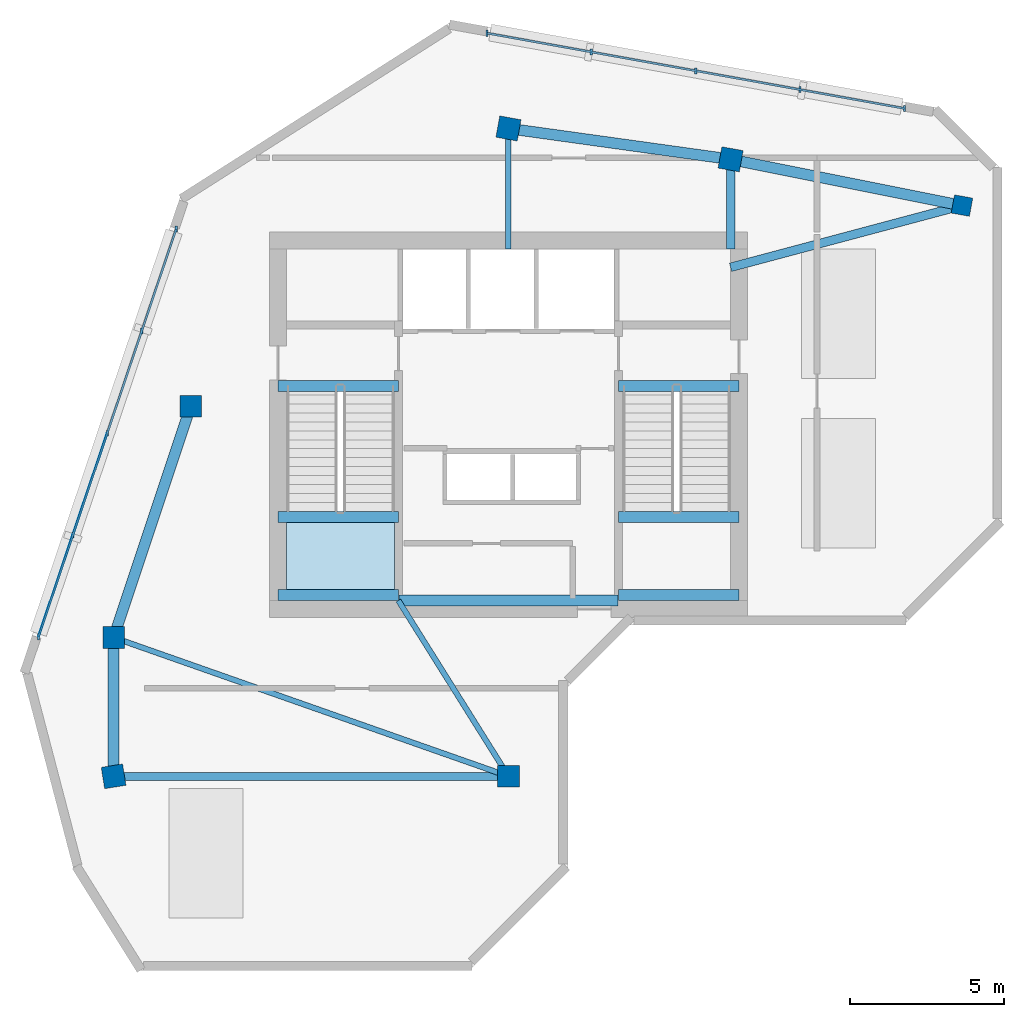
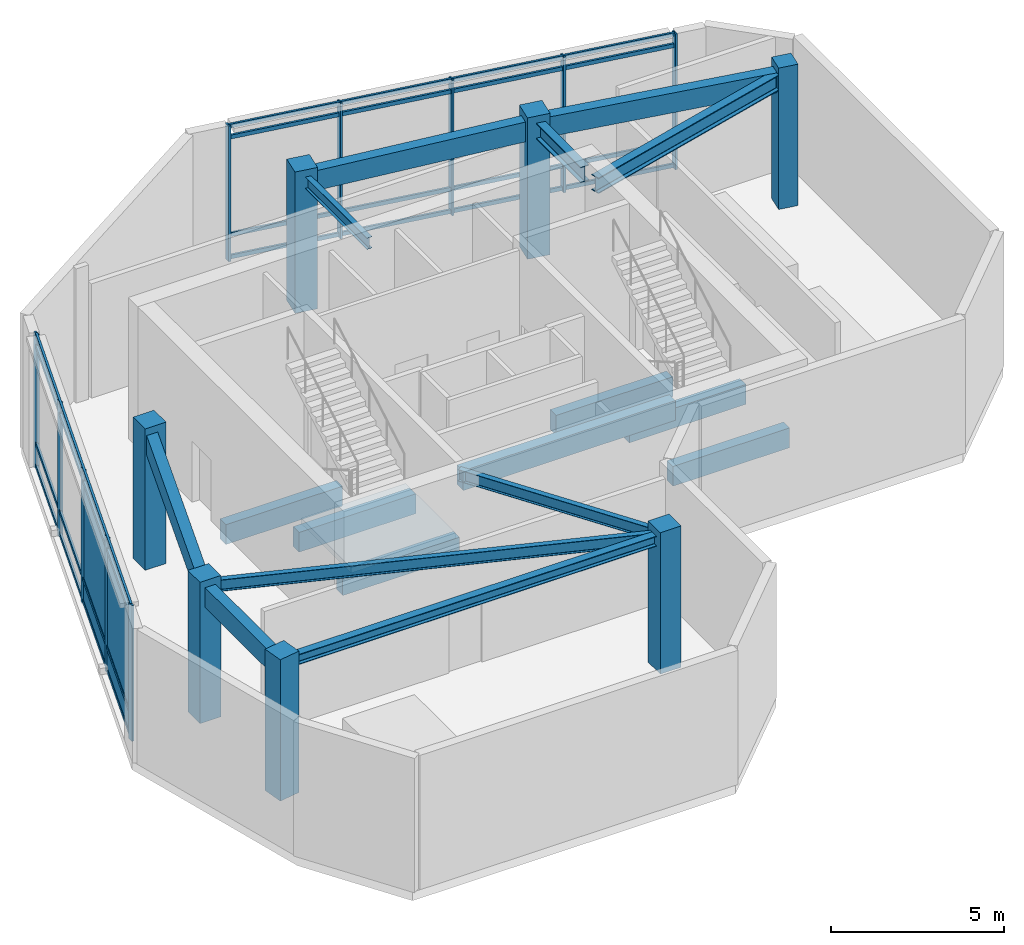
# One storey, part 1 of 4: 18 members, 17 beams, 7 columns, 4 plates, 1 slab, 3 elements without a shape of their own.
"""IFC4 building model written with IfcOpenShell, lengths in metres."""

from ifc_helpers import new_model, si_unit, direction, frame, frame_2d, origin, origin_2d, place, context, subcontext, project, spatial, polyline, rectangle, i_section, outline, extrude, source, transform, mapped, material, layer, layer_set, material_profile, profile_set, type_object, element, aggregate, save


model = new_model("IFC4")

# Units and contexts
model_context = context("Model", 3, precision=1e-05, world=origin(), true_north=direction((0.0, 1.0)))
body_context = subcontext(model_context, "Body", "Model", "MODEL_VIEW")
ifc_project = project(units=[si_unit("LENGTHUNIT", "METRE"), si_unit("AREAUNIT", "SQUARE_METRE"), si_unit("VOLUMEUNIT", "CUBIC_METRE"), si_unit("PLANEANGLEUNIT", "RADIAN"), si_unit("MASSUNIT", "GRAM", prefix="KILO")], contexts=[model_context])

# Site, building, storey
site_placement = place(None, origin())
site = spatial("IfcSite", under=ifc_project, at=site_placement, CompositionType="ELEMENT")
building_placement = place(site_placement, origin())
building = spatial("IfcBuilding", under=site, at=building_placement, Name="Calvemar Wedge Station Tower", CompositionType="ELEMENT")
storey_placement = place(building_placement, frame((0.0, 0.0, 304.5)))
storey = spatial("IfcBuildingStorey", under=building, at=storey_placement, Name="L78", CompositionType="ELEMENT", Elevation=304.5)

# Columns
ifc_material_1 = material(Name="Concrete C50", Category="concrete")
ifc_material_profile_1 = material_profile(ifc_material_1, rectangle(XDim=0.699951171875, YDim=0.699951171875, at=origin_2d()), Name="RC700x700")
ifc_profile_set_1 = profile_set([ifc_material_profile_1], Name="Concrete C50")
column_type_1 = type_object("IfcColumnType", Name="COL-C7-700", PredefinedType="COLUMN", material=ifc_profile_set_1)
shared_shape_1 = source(origin(), body_context, "Body", "SweptSolid", [
    extrude(rectangle(XDim=0.699951171875, YDim=0.699951171875, at=origin_2d()), origin(), (0.0, 0.0, 1.0), 5.0),
])
for number, where, z_axis, x_axis, name in (
    (1, (11.0, 33.0, 0.0), (0.0, 0.0, 1.0), (1.0, 0.0, 0.0), "Storey L78 Column T-NW1"),
    (2, (13.5, 40.5, 0.0), (0.0, 0.0, 1.0), (1.0, 0.0, 0.0), "Storey L78 Column T-NW2"),
    (3, (23.800048828125, 49.5, 0.0), (0.0, 0.0, 1.0), (0.984195607969, -0.17708474032, 0.0), "Storey L78 Column T-N1"),
    (4, (31.0, 48.5, 0.0), (0.0, 0.0, 1.0), (0.984195607969, -0.17708474032, 0.0), "Storey L78 Column T-N2"),
    (5, (11.0, 28.5, 0.0), (0.0, 0.0, 1.0), (0.158158067254, -0.987413806751, 0.0), "Storey L78 Column T-SW1"),
    (6, (23.800048828125, 28.5, 0.0), (0.0, 0.0, 1.0), (1.0, 0.0, 0.0), "Storey L78 Column T-SE1"),
):
    element("IfcColumn", number, at=place(storey_placement, frame(where, z_axis=z_axis, x_axis=x_axis)), inside=storey, type_object=column_type_1, Name=name, PredefinedType="COLUMN", context=body_context, shape_type="MappedRepresentation", body=[
        mapped(shared_shape_1, transform((0.0, 0.0, 0.0), scale=1.0)),
    ])
ifc_material_profile_2 = material_profile(ifc_material_1, rectangle(XDim=0.60009765625, YDim=0.60009765625, at=origin_2d()), Name="RC600x600")
ifc_profile_set_2 = profile_set([ifc_material_profile_2], Name="Concrete C50")
column_type_2 = type_object("IfcColumnType", Name="COL-C8-600", PredefinedType="COLUMN", material=ifc_profile_set_2)
shared_shape_2 = source(origin(), body_context, "Body", "SweptSolid", [
    extrude(rectangle(XDim=0.60009765625, YDim=0.60009765625, at=origin_2d()), origin(), (0.0, 0.0, 1.0), 5.0),
])
column_placement = place(storey_placement, frame((38.5, 47.0, 0.0), z_axis=(0.0, 0.0, 1.0), x_axis=(0.984195607969, -0.17708474032, 0.0)))
element("IfcColumn", 7, at=column_placement, inside=storey, type_object=column_type_2, Name="Storey L78 Column T-NU3", PredefinedType="COLUMN", context=body_context, shape_type="MappedRepresentation", body=[
    mapped(shared_shape_2, transform((0.0, 0.0, 0.0), scale=1.0)),
])

# Beams
ifc_material_2 = material(Name="Structural steel ASTM A572 Grade 50", Category="steel")
ifc_material_profile_3 = material_profile(ifc_material_2, i_section(OverallWidth=0.177978515625, OverallDepth=0.406982421875, WebThickness=0.0078125, FlangeThickness=0.0126953125, FilletRadius=0.010009765625, at=origin_2d()), Name="W410x60")
ifc_profile_set_3 = profile_set([ifc_material_profile_3], Name="Structural steel ASTM A572 Grade 50")
beam_type_1 = type_object("IfcBeamType", Name="BM-J3-W410", PredefinedType="JOIST", material=ifc_profile_set_3)
shared_shape_3 = source(origin(), body_context, "Body", "SweptSolid", [
    extrude(i_section(OverallWidth=0.177978515625, OverallDepth=0.406982421875, WebThickness=0.0078125, FlangeThickness=0.0126953125, FilletRadius=0.010009765625, at=origin_2d()), origin(), (0.0, 0.0, 1.0), 13.568115234375),
])
beam_1_placement = place(storey_placement, frame((11.0, 33.0, 4.54638671875), z_axis=(0.943398221169, -0.331662171939, 0.0), x_axis=(0.331662171939, 0.943398221169, 0.0)))
element("IfcBeam", 8, at=beam_1_placement, inside=storey, type_object=beam_type_1, Name="Storey L78 Floor Beam T-NW1-T-SE1", PredefinedType="JOIST", context=body_context, shape_type="MappedRepresentation", body=[
    mapped(shared_shape_3, transform((0.0, 0.0, 0.0), scale=1.0)),
])
ifc_material_profile_4 = material_profile(ifc_material_2, i_section(OverallWidth=0.279052734375, OverallDepth=0.553955078125, WebThickness=0.017578125, FlangeThickness=0.029541015625, FilletRadius=0.014892578125, at=origin_2d()), Name="W530x196")
ifc_profile_set_4 = profile_set([ifc_material_profile_4], Name="Structural steel ASTM A572 Grade 50")
beam_type_2 = type_object("IfcBeamType", Name="BM-SB3-W530H", PredefinedType="BEAM", material=ifc_profile_set_4)
shared_shape_4 = source(origin(), body_context, "Body", "SweptSolid", [
    extrude(i_section(OverallWidth=0.279052734375, OverallDepth=0.553955078125, WebThickness=0.017578125, FlangeThickness=0.029541015625, FilletRadius=0.014892578125, at=origin_2d()), origin(), (0.0, 0.0, 1.0), 7.76220703125),
])
beam_2_placement = place(storey_placement, frame((31.0, 45.0, 4.472900390625), z_axis=(0.966234939601, 0.25766265056, 0.0), x_axis=(-0.25766265056, 0.966234939601, 0.0)))
element("IfcBeam", 9, at=beam_2_placement, inside=storey, type_object=beam_type_2, Name="Storey L78 Core-to-Column Joist CJ-E2", PredefinedType="BEAM", context=body_context, shape_type="MappedRepresentation", body=[
    mapped(shared_shape_4, transform((0.0, 0.0, 0.0), scale=1.0)),
])
shared_shape_5 = source(origin(), body_context, "Body", "SweptSolid", [
    extrude(i_section(OverallWidth=0.177978515625, OverallDepth=0.406982421875, WebThickness=0.0078125, FlangeThickness=0.0126953125, FilletRadius=0.010009765625, at=origin_2d()), origin(), (0.0, 0.0, 1.0), 3.89990234375),
])
beam_3_placement = place(storey_placement, frame((23.800048828125, 45.60009765625, 4.54638671875), z_axis=(0.0, 1.0, 0.0), x_axis=(-1.0, 0.0, 0.0)))
element("IfcBeam", 10, at=beam_3_placement, inside=storey, type_object=beam_type_1, Name="Storey L78 Core-to-Column Joist CJ-N1", PredefinedType="JOIST", context=body_context, shape_type="MappedRepresentation", body=[
    mapped(shared_shape_5, transform((0.0, 0.0, 0.0), scale=1.0)),
])
shared_shape_6 = source(origin(), body_context, "Body", "SweptSolid", [
    extrude(i_section(OverallWidth=0.279052734375, OverallDepth=0.553955078125, WebThickness=0.017578125, FlangeThickness=0.029541015625, FilletRadius=0.014892578125, at=origin_2d()), origin(), (0.0, 0.0, 1.0), 2.89990234375),
])
beam_4_placement = place(storey_placement, frame((31.0, 45.60009765625, 4.472900390625), z_axis=(0.0, 1.0, 0.0), x_axis=(-1.0, 0.0, 0.0)))
element("IfcBeam", 11, at=beam_4_placement, inside=storey, type_object=beam_type_2, Name="Storey L78 Core-to-Column Joist CJ-N2", PredefinedType="BEAM", context=body_context, shape_type="MappedRepresentation", body=[
    mapped(shared_shape_6, transform((0.0, 0.0, 0.0), scale=1.0)),
])
shared_shape_7 = source(origin(), body_context, "Body", "SweptSolid", [
    extrude(i_section(OverallWidth=0.177978515625, OverallDepth=0.406982421875, WebThickness=0.0078125, FlangeThickness=0.0126953125, FilletRadius=0.010009765625, at=origin_2d()), origin(), (0.0, 0.0, 1.0), 6.7255859375),
])
beam_5_placement = place(storey_placement, frame((20.22998046875, 34.199951171875, 4.54638671875), z_axis=(0.530811158438, -0.847490126242, 0.0), x_axis=(0.847490126242, 0.530811158438, 0.0)))
element("IfcBeam", 12, at=beam_5_placement, inside=storey, type_object=beam_type_1, Name="Storey L78 Core-to-Column Joist CJ-S2", PredefinedType="JOIST", context=body_context, shape_type="MappedRepresentation", body=[
    mapped(shared_shape_7, transform((0.0, 0.0, 0.0), scale=1.0)),
])
ifc_material_3 = material(Name="Concrete C70", Category="concrete")
ifc_material_profile_5 = material_profile(ifc_material_3, rectangle(XDim=0.35009765625, YDim=0.699951171875, at=origin_2d()), Name="RC350x700")
ifc_profile_set_5 = profile_set([ifc_material_profile_5], Name="Concrete C70")
beam_type_3 = type_object("IfcBeamType", Name="BM-LN1-700", PredefinedType="LINTEL", material=ifc_profile_set_5)
shared_shape_8 = source(origin(), body_context, "Body", "SweptSolid", [
    extrude(rectangle(XDim=0.35009765625, YDim=0.699951171875, at=origin_2d()), origin(), (0.0, 0.0, 1.0), 7.10009765625),
])
beam_6_placement = place(storey_placement, frame((20.25, 34.199951171875, 4.39990234375), z_axis=(1.0, 0.0, 0.0), x_axis=(0.0, 1.0, 0.0)))
element("IfcBeam", 13, at=beam_6_placement, inside=storey, type_object=beam_type_3, Name="Storey L78 Core Coupling Lintel South", PredefinedType="LINTEL", context=body_context, shape_type="MappedRepresentation", body=[
    mapped(shared_shape_8, transform((0.0, 0.0, 0.0), scale=1.0)),
])
ifc_material_profile_6 = material_profile(ifc_material_1, rectangle(XDim=0.35009765625, YDim=0.699951171875, at=origin_2d()), Name="RC350x700")
ifc_profile_set_6 = profile_set([ifc_material_profile_6], Name="Concrete C50")
beam_type_4 = type_object("IfcBeamType", Name="BM-SP2-700", PredefinedType="SPANDREL", material=ifc_profile_set_6)
shared_shape_9 = source(origin(), body_context, "Body", "SweptSolid", [
    extrude(rectangle(XDim=0.35009765625, YDim=0.699951171875, at=origin_2d()), origin(), (0.0, 0.0, 1.0), 7.90576171875),
])
beam_7_placement = place(storey_placement, frame((11.0, 33.0, 4.39990234375), z_axis=(0.316227766017, 0.948683298051, 0.0), x_axis=(-0.948683298051, 0.316227766017, 0.0)))
element("IfcBeam", 14, at=beam_7_placement, inside=storey, type_object=beam_type_4, Name="Storey L78 Spandrel T-NW1-T-NW2", PredefinedType="SPANDREL", context=body_context, shape_type="MappedRepresentation", body=[
    mapped(shared_shape_9, transform((0.0, 0.0, 0.0), scale=1.0)),
])
shared_shape_10 = source(origin(), body_context, "Body", "SweptSolid", [
    extrude(rectangle(XDim=0.35009765625, YDim=0.699951171875, at=origin_2d()), origin(), (0.0, 0.0, 1.0), 7.26904296875),
])
beam_8_placement = place(storey_placement, frame((23.800048828125, 49.5, 4.39990234375), z_axis=(0.990492146053, -0.13756928657, 0.0), x_axis=(0.13756928657, 0.990492146053, 0.0)))
element("IfcBeam", 15, at=beam_8_placement, inside=storey, type_object=beam_type_4, Name="Storey L78 Spandrel T-N1-T-N2", PredefinedType="SPANDREL", context=body_context, shape_type="MappedRepresentation", body=[
    mapped(shared_shape_10, transform((0.0, 0.0, 0.0), scale=1.0)),
])
shared_shape_11 = source(origin(), body_context, "Body", "SweptSolid", [
    extrude(rectangle(XDim=0.35009765625, YDim=0.699951171875, at=origin_2d()), origin(), (0.0, 0.0, 1.0), 7.6484375),
])
beam_9_placement = place(storey_placement, frame((31.0, 48.5, 4.39990234375), z_axis=(0.980580675691, -0.196116135138, 0.0), x_axis=(0.196116135138, 0.980580675691, 0.0)))
element("IfcBeam", 16, at=beam_9_placement, inside=storey, type_object=beam_type_4, Name="Storey L78 Spandrel T-N2-T-NU3", PredefinedType="SPANDREL", context=body_context, shape_type="MappedRepresentation", body=[
    mapped(shared_shape_11, transform((0.0, 0.0, 0.0), scale=1.0)),
])
shared_shape_12 = source(origin(), body_context, "Body", "SweptSolid", [
    extrude(rectangle(XDim=0.35009765625, YDim=0.699951171875, at=origin_2d()), origin(), (0.0, 0.0, 1.0), 4.5),
])
beam_10_placement = place(storey_placement, frame((11.0, 33.0, 4.39990234375), z_axis=(0.0, -1.0, 0.0), x_axis=(1.0, 0.0, 0.0)))
element("IfcBeam", 17, at=beam_10_placement, inside=storey, type_object=beam_type_4, Name="Storey L78 Spandrel T-NW1-T-SW1", PredefinedType="SPANDREL", context=body_context, shape_type="MappedRepresentation", body=[
    mapped(shared_shape_12, transform((0.0, 0.0, 0.0), scale=1.0)),
])
shared_shape_13 = source(origin(), body_context, "Body", "SweptSolid", [
    extrude(rectangle(XDim=0.35009765625, YDim=0.699951171875, at=origin_2d()), origin(), (0.0, 0.0, 1.0), 3.905029296875),
])
for number, where, z_axis, x_axis, name in (
    (18, (16.324951171875, 41.14990234375, -0.35009765625), (1.0, 0.0, 0.0), (0.0, 1.0, 0.0), "Storey L78 Stair ST-C1 Landing Trimmer Beam"),
    (19, (16.324951171875, 34.3798828125, 1.949951171875), (1.0, 0.0, 0.0), (0.0, 1.0, 0.0), "Storey L78 Stair ST-C1 Half-Landing Beam 1A"),
    (20, (16.324951171875, 36.909912109375, 1.949951171875), (1.0, 0.0, 0.0), (0.0, 1.0, 0.0), "Storey L78 Stair ST-C1 Half-Landing Beam 1B"),
):
    element("IfcBeam", number, at=place(storey_placement, frame(where, z_axis=z_axis, x_axis=x_axis)), inside=storey, type_object=beam_type_3, Name=name, PredefinedType="LINTEL", context=body_context, shape_type="MappedRepresentation", body=[
        mapped(shared_shape_13, transform((0.0, 0.0, 0.0), scale=1.0)),
    ])
shared_shape_14 = source(origin(), body_context, "Body", "SweptSolid", [
    extrude(rectangle(XDim=0.35009765625, YDim=0.699951171875, at=origin_2d()), origin(), (0.0, 0.0, 1.0), 3.90478515625),
])
for number, where, z_axis, x_axis, name in (
    (21, (27.3701171875, 41.14990234375, -0.35009765625), (1.0, 0.0, 0.0), (0.0, 1.0, 0.0), "Storey L78 Stair ST-C2 Landing Trimmer Beam"),
    (22, (27.3701171875, 34.3798828125, 1.949951171875), (1.0, 0.0, 0.0), (0.0, 1.0, 0.0), "Storey L78 Stair ST-C2 Half-Landing Beam 1A"),
    (23, (27.3701171875, 36.909912109375, 1.949951171875), (1.0, 0.0, 0.0), (0.0, 1.0, 0.0), "Storey L78 Stair ST-C2 Half-Landing Beam 1B"),
):
    element("IfcBeam", number, at=place(storey_placement, frame(where, z_axis=z_axis, x_axis=x_axis)), inside=storey, type_object=beam_type_3, Name=name, PredefinedType="LINTEL", context=body_context, shape_type="MappedRepresentation", body=[
        mapped(shared_shape_14, transform((0.0, 0.0, 0.0), scale=1.0)),
    ])
ifc_material_profile_7 = material_profile(ifc_material_2, i_section(OverallWidth=0.257080078125, OverallDepth=0.363037109375, WebThickness=0.012939453125, FlangeThickness=0.021728515625, FilletRadius=0.014892578125, at=origin_2d()), Name="W360x122")
ifc_profile_set_7 = profile_set([ifc_material_profile_7], Name="Structural steel ASTM A572 Grade 50")
beam_type_5 = type_object("IfcBeamType", Name="BM-J4-W360", PredefinedType="JOIST", material=ifc_profile_set_7)
shared_shape_15 = source(origin(), body_context, "Body", "SweptSolid", [
    extrude(i_section(OverallWidth=0.257080078125, OverallDepth=0.363037109375, WebThickness=0.012939453125, FlangeThickness=0.021728515625, FilletRadius=0.014892578125, at=origin_2d()), origin(), (0.0, 0.0, 1.0), 12.800048828125),
])
beam_11_placement = place(storey_placement, frame((11.0, 28.5, 4.568603515625), z_axis=(1.0, 0.0, 0.0), x_axis=(0.0, 1.0, 0.0)))
element("IfcBeam", 24, at=beam_11_placement, inside=storey, type_object=beam_type_5, Name="Storey L78 Floor Beam T-SW1-T-SE1", PredefinedType="JOIST", context=body_context, shape_type="MappedRepresentation", body=[
    mapped(shared_shape_15, transform((0.0, 0.0, 0.0), scale=1.0)),
])

# Curtain wall, members
ifc_material_4 = material(Name="Anodised aluminium 6063-T6", Category="aluminium")
curtain_wall_type = type_object("IfcCurtainWallType", Name="CW4", PredefinedType="NOTDEFINED", material=ifc_material_4)
curtain_wall_1_placement = place(storey_placement, origin())
curtain_wall_1 = element("IfcCurtainWall", 25, at=curtain_wall_1_placement, inside=storey, type_object=curtain_wall_type, Name="Storey L78 CW4 Recessed Unitised Curtain Wall 10", PredefinedType="NOTDEFINED")
ifc_material_profile_8 = material_profile(ifc_material_4, rectangle(XDim=0.070068359375, YDim=0.199951171875, at=origin_2d()), Name="AL-MUL-70x200")
ifc_profile_set_8 = profile_set([ifc_material_profile_8], Name="Anodised aluminium 6063-T6")
member_type_1 = type_object("IfcMemberType", Name="CW4-MUL", PredefinedType="MULLION", material=ifc_profile_set_8)
shared_shape_16 = source(origin(), body_context, "Body", "SweptSolid", [
    extrude(rectangle(XDim=0.070068359375, YDim=0.199951171875, at=origin_2d()), origin(), (0.0, 0.0, 1.0), 4.800048828125),
])
member_1_placement = place(storey_placement, frame((36.634033203125, 50.148681640625, -0.050048828125), z_axis=(0.0, 0.0, 1.0), x_axis=(1.0, 0.0, 0.0)))
member_1 = element("IfcMember", 26, at=member_1_placement, type_object=member_type_1, Name="CW4 mullion 1", PredefinedType="MULLION", context=body_context, shape_type="MappedRepresentation", body=[
    mapped(shared_shape_16, transform((0.0, 0.0, 0.0), scale=1.0)),
])
member_2_placement = place(storey_placement, frame((33.251220703125, 50.758544921875, -0.050048828125), z_axis=(0.0, 0.0, 1.0), x_axis=(1.0, 0.0, 0.0)))
member_2 = element("IfcMember", 27, at=member_2_placement, type_object=member_type_1, Name="CW4 mullion 2", PredefinedType="MULLION", context=body_context, shape_type="MappedRepresentation", body=[
    mapped(shared_shape_16, transform((0.0, 0.0, 0.0), scale=1.0)),
])
member_3_placement = place(storey_placement, frame((29.868408203125, 51.368408203125, -0.050048828125), z_axis=(0.0, 0.0, 1.0), x_axis=(1.0, 0.0, 0.0)))
member_3 = element("IfcMember", 28, at=member_3_placement, type_object=member_type_1, Name="CW4 mullion 3", PredefinedType="MULLION", context=body_context, shape_type="MappedRepresentation", body=[
    mapped(shared_shape_16, transform((0.0, 0.0, 0.0), scale=1.0)),
])
member_4_placement = place(storey_placement, frame((26.485595703125, 51.97802734375, -0.050048828125), z_axis=(0.0, 0.0, 1.0), x_axis=(1.0, 0.0, 0.0)))
member_4 = element("IfcMember", 29, at=member_4_placement, type_object=member_type_1, Name="CW4 mullion 4", PredefinedType="MULLION", context=body_context, shape_type="MappedRepresentation", body=[
    mapped(shared_shape_16, transform((0.0, 0.0, 0.0), scale=1.0)),
])
member_5_placement = place(storey_placement, frame((23.10302734375, 52.587890625, -0.050048828125), z_axis=(0.0, 0.0, 1.0), x_axis=(1.0, 0.0, 0.0)))
member_5 = element("IfcMember", 30, at=member_5_placement, type_object=member_type_1, Name="CW4 mullion 5", PredefinedType="MULLION", context=body_context, shape_type="MappedRepresentation", body=[
    mapped(shared_shape_16, transform((0.0, 0.0, 0.0), scale=1.0)),
])

curtain_wall_2_placement = place(storey_placement, origin())
curtain_wall_2 = element("IfcCurtainWall", 31, at=curtain_wall_2_placement, inside=storey, type_object=curtain_wall_type, Name="Storey L78 CW4 Recessed Unitised Curtain Wall 12", PredefinedType="NOTDEFINED")
member_6_placement = place(storey_placement, frame((13.030029296875, 46.240478515625, -0.050048828125), z_axis=(0.0, 0.0, 1.0), x_axis=(1.0, 0.0, 0.0)))
member_6 = element("IfcMember", 32, at=member_6_placement, type_object=member_type_1, Name="CW4 mullion 1", PredefinedType="MULLION", context=body_context, shape_type="MappedRepresentation", body=[
    mapped(shared_shape_16, transform((0.0, 0.0, 0.0), scale=1.0)),
])
member_7_placement = place(storey_placement, frame((11.913818359375, 42.934814453125, -0.050048828125), z_axis=(0.0, 0.0, 1.0), x_axis=(1.0, 0.0, 0.0)))
member_7 = element("IfcMember", 33, at=member_7_placement, type_object=member_type_1, Name="CW4 mullion 2", PredefinedType="MULLION", context=body_context, shape_type="MappedRepresentation", body=[
    mapped(shared_shape_16, transform((0.0, 0.0, 0.0), scale=1.0)),
])
member_8_placement = place(storey_placement, frame((10.797607421875, 39.62890625, -0.050048828125), z_axis=(0.0, 0.0, 1.0), x_axis=(1.0, 0.0, 0.0)))
member_8 = element("IfcMember", 34, at=member_8_placement, type_object=member_type_1, Name="CW4 mullion 3", PredefinedType="MULLION", context=body_context, shape_type="MappedRepresentation", body=[
    mapped(shared_shape_16, transform((0.0, 0.0, 0.0), scale=1.0)),
])
member_9_placement = place(storey_placement, frame((9.681396484375, 36.3232421875, -0.050048828125), z_axis=(0.0, 0.0, 1.0), x_axis=(1.0, 0.0, 0.0)))
member_9 = element("IfcMember", 35, at=member_9_placement, type_object=member_type_1, Name="CW4 mullion 4", PredefinedType="MULLION", context=body_context, shape_type="MappedRepresentation", body=[
    mapped(shared_shape_16, transform((0.0, 0.0, 0.0), scale=1.0)),
])
member_10_placement = place(storey_placement, frame((8.565185546875, 33.017578125, -0.050048828125), z_axis=(0.0, 0.0, 1.0), x_axis=(1.0, 0.0, 0.0)))
member_10 = element("IfcMember", 36, at=member_10_placement, type_object=member_type_1, Name="CW4 mullion 5", PredefinedType="MULLION", context=body_context, shape_type="MappedRepresentation", body=[
    mapped(shared_shape_16, transform((0.0, 0.0, 0.0), scale=1.0)),
])

# Member
ifc_material_profile_9 = material_profile(ifc_material_4, rectangle(XDim=0.070068359375, YDim=0.139892578125, at=origin_2d()), Name="AL-TRN-70x140")
ifc_profile_set_9 = profile_set([ifc_material_profile_9], Name="Anodised aluminium 6063-T6")
member_type_2 = type_object("IfcMemberType", Name="CW4-TRN", PredefinedType="USERDEFINED", material=ifc_profile_set_9)
shared_shape_17 = source(origin(), body_context, "Body", "SweptSolid", [
    extrude(rectangle(XDim=0.070068359375, YDim=0.139892578125, at=origin_2d()), origin(), (0.0, 0.0, 1.0), 13.7490234375),
])
member_11_placement = place(storey_placement, frame((36.634033203125, 50.148681640625, 0.06005859375), z_axis=(-0.984137285369, 0.177408577993, 0.0), x_axis=(-0.177408577993, -0.984137285369, 0.0)))
member_11 = element("IfcMember", 37, at=member_11_placement, type_object=member_type_2, Name="CW4 transom 1", ObjectType="TRANSOM", PredefinedType="USERDEFINED", context=body_context, shape_type="MappedRepresentation", body=[
    mapped(shared_shape_17, transform((0.0, 0.0, 0.0), scale=1.0)),
])

member_12_placement = place(storey_placement, frame((36.634033203125, 50.148681640625, 0.85009765625), z_axis=(-0.984137285369, 0.177408577993, 0.0), x_axis=(-0.177408577993, -0.984137285369, 0.0)))
member_12 = element("IfcMember", 38, at=member_12_placement, type_object=member_type_2, Name="CW4 transom 2", ObjectType="TRANSOM", PredefinedType="USERDEFINED", context=body_context, shape_type="MappedRepresentation", body=[
    mapped(shared_shape_17, transform((0.0, 0.0, 0.0), scale=1.0)),
])

member_13_placement = place(storey_placement, frame((36.634033203125, 50.148681640625, 4.300048828125), z_axis=(-0.984137285369, 0.177408577993, 0.0), x_axis=(-0.177408577993, -0.984137285369, 0.0)))
member_13 = element("IfcMember", 39, at=member_13_placement, type_object=member_type_2, Name="CW4 transom 3", ObjectType="TRANSOM", PredefinedType="USERDEFINED", context=body_context, shape_type="MappedRepresentation", body=[
    mapped(shared_shape_17, transform((0.0, 0.0, 0.0), scale=1.0)),
])

member_14_placement = place(storey_placement, frame((36.634033203125, 50.148681640625, 4.68994140625), z_axis=(-0.984137285369, 0.177408577993, 0.0), x_axis=(-0.177408577993, -0.984137285369, 0.0)))
member_14 = element("IfcMember", 40, at=member_14_placement, type_object=member_type_2, Name="CW4 transom 4", ObjectType="TRANSOM", PredefinedType="USERDEFINED", context=body_context, shape_type="MappedRepresentation", body=[
    mapped(shared_shape_17, transform((0.0, 0.0, 0.0), scale=1.0)),
])

aggregate(curtain_wall_1, [member_1, member_2, member_3, member_4, member_5, member_11, member_12, member_13, member_14])

shared_shape_18 = source(origin(), body_context, "Body", "SweptSolid", [
    extrude(rectangle(XDim=0.070068359375, YDim=0.139892578125, at=origin_2d()), origin(), (0.0, 0.0, 1.0), 13.956298828125),
])
member_15_placement = place(storey_placement, frame((13.030029296875, 46.240478515625, 0.06005859375), z_axis=(-0.31991467959, -0.94744635615, 0.0), x_axis=(0.94744635615, -0.31991467959, 0.0)))
member_15 = element("IfcMember", 41, at=member_15_placement, type_object=member_type_2, Name="CW4 transom 1", ObjectType="TRANSOM", PredefinedType="USERDEFINED", context=body_context, shape_type="MappedRepresentation", body=[
    mapped(shared_shape_18, transform((0.0, 0.0, 0.0), scale=1.0)),
])

member_16_placement = place(storey_placement, frame((13.030029296875, 46.240478515625, 0.85009765625), z_axis=(-0.31991467959, -0.94744635615, 0.0), x_axis=(0.94744635615, -0.31991467959, 0.0)))
member_16 = element("IfcMember", 42, at=member_16_placement, type_object=member_type_2, Name="CW4 transom 2", ObjectType="TRANSOM", PredefinedType="USERDEFINED", context=body_context, shape_type="MappedRepresentation", body=[
    mapped(shared_shape_18, transform((0.0, 0.0, 0.0), scale=1.0)),
])

member_17_placement = place(storey_placement, frame((13.030029296875, 46.240478515625, 4.300048828125), z_axis=(-0.31991467959, -0.94744635615, 0.0), x_axis=(0.94744635615, -0.31991467959, 0.0)))
member_17 = element("IfcMember", 43, at=member_17_placement, type_object=member_type_2, Name="CW4 transom 3", ObjectType="TRANSOM", PredefinedType="USERDEFINED", context=body_context, shape_type="MappedRepresentation", body=[
    mapped(shared_shape_18, transform((0.0, 0.0, 0.0), scale=1.0)),
])

member_18_placement = place(storey_placement, frame((13.030029296875, 46.240478515625, 4.68994140625), z_axis=(-0.31991467959, -0.94744635615, 0.0), x_axis=(0.94744635615, -0.31991467959, 0.0)))
member_18 = element("IfcMember", 44, at=member_18_placement, type_object=member_type_2, Name="CW4 transom 4", ObjectType="TRANSOM", PredefinedType="USERDEFINED", context=body_context, shape_type="MappedRepresentation", body=[
    mapped(shared_shape_18, transform((0.0, 0.0, 0.0), scale=1.0)),
])

# Plate
ifc_material_5 = material(Name="Low-E laminated insulated glass", Category="glass")
ifc_layer_1 = layer(ifc_material_5, 0.028076171875)
ifc_layer_set_1 = layer_set([ifc_layer_1], Name="Low-E laminated insulated glass")
plate_type_1 = type_object("IfcPlateType", Name="CW4-GLZ", PredefinedType="CURTAIN_PANEL", material=ifc_layer_set_1)
plate_1_placement = place(storey_placement, frame((10.7919921875, 39.612060546875, 0.8701171875), z_axis=(0.0, 0.0, 1.0), x_axis=(-0.319915894708, -0.947445945853, 0.0)))
plate_1 = element("IfcPlate", 45, at=plate_1_placement, type_object=plate_type_1, Name="CW4 vision glass panel 3", PredefinedType="CURTAIN_PANEL", context=body_context, shape_type="SweptSolid", body=[
    extrude(rectangle(XDim=3.453125, YDim=0.028076171875, at=frame_2d((1.7265625, 0.0))), origin(), (0.0, 0.0, 1.0), 3.409912109375),
])

plate_2_placement = place(storey_placement, frame((9.67578125, 36.30615234375, 0.8701171875), z_axis=(0.0, 0.0, 1.0), x_axis=(-0.319979356362, -0.947424514936, 0.0)))
plate_2 = element("IfcPlate", 46, at=plate_2_placement, type_object=plate_type_1, Name="CW4 vision glass panel 4", PredefinedType="CURTAIN_PANEL", context=body_context, shape_type="SweptSolid", body=[
    extrude(rectangle(XDim=3.453369140625, YDim=0.028076171875, at=frame_2d((1.7265625, 0.0))), origin(), (0.0, 0.0, 1.0), 3.409912109375),
])

ifc_material_6 = material(Name="Oxidized bronze aluminium spandrel panel 5005-H24", Category="aluminium")
ifc_layer_2 = layer(ifc_material_6, 0.0400390625)
ifc_layer_set_2 = layer_set([ifc_layer_2], Name="Oxidized bronze aluminium spandrel panel 5005-H24")
plate_type_2 = type_object("IfcPlateType", Name="CW4-SPD", PredefinedType="SHEET", material=ifc_layer_set_2)
plate_3_placement = place(storey_placement, frame((10.7919921875, 39.612060546875, 0.080078125), z_axis=(0.0, 0.0, 1.0), x_axis=(-0.319915894708, -0.947445945853, 0.0)))
plate_3 = element("IfcPlate", 47, at=plate_3_placement, type_object=plate_type_2, Name="CW4 bronze spandrel panel 3", PredefinedType="SHEET", context=body_context, shape_type="SweptSolid", body=[
    extrude(rectangle(XDim=3.453125, YDim=0.0400390625, at=frame_2d((1.7265625, 0.0))), origin(), (0.0, 0.0, 1.0), 0.75),
])

plate_4_placement = place(storey_placement, frame((9.67578125, 36.30615234375, 0.080078125), z_axis=(0.0, 0.0, 1.0), x_axis=(-0.319979356362, -0.947424514936, 0.0)))
plate_4 = element("IfcPlate", 48, at=plate_4_placement, type_object=plate_type_2, Name="CW4 bronze spandrel panel 4", PredefinedType="SHEET", context=body_context, shape_type="SweptSolid", body=[
    extrude(rectangle(XDim=3.453369140625, YDim=0.0400390625, at=frame_2d((1.7265625, 0.0))), origin(), (0.0, 0.0, 1.0), 0.75),
])

aggregate(curtain_wall_2, [member_6, member_7, member_8, member_9, member_10, member_15, member_16, member_17, member_18, plate_3, plate_1, plate_4, plate_2])

# Stair, slab
ifc_material_7 = material(Name="Concrete C45", Category="concrete")
stair_type = type_object("IfcStairType", Name="ST-TYPE-5000", PredefinedType="HALF_TURN_STAIR", material=ifc_material_7)
stair_placement = place(storey_placement, origin())
stair = element("IfcStair", 49, at=stair_placement, inside=storey, type_object=stair_type, Name="L78 Pressurized Core Exit Stair ST-C1", PredefinedType="HALF_TURN_STAIR")
ifc_layer_3 = layer(ifc_material_7, 0.199951171875)
ifc_layer_set_3 = layer_set([ifc_layer_3], Name="Concrete C45")
slab_type = type_object("IfcSlabType", Name="SL-STAIR-LND-200", PredefinedType="LANDING", material=ifc_layer_set_3)
slab_placement = place(storey_placement, frame((0.0, 0.0, 2.300048828125)))
slab = element("IfcSlab", 50, at=slab_placement, type_object=slab_type, Name="ST-C1 landing 1", PredefinedType="LANDING", context=body_context, shape_type="SweptSolid", body=[
    extrude(outline(polyline([(16.60009765625, 37.090087890625), (16.60009765625, 34.199951171875), (20.10009765625, 34.199951171875), (20.10009765625, 37.090087890625), (16.60009765625, 37.090087890625)])), origin(), (0.0, 0.0, 1.0), 0.199951171875),
])
aggregate(stair, [slab])

save(model, "model.ifc")
